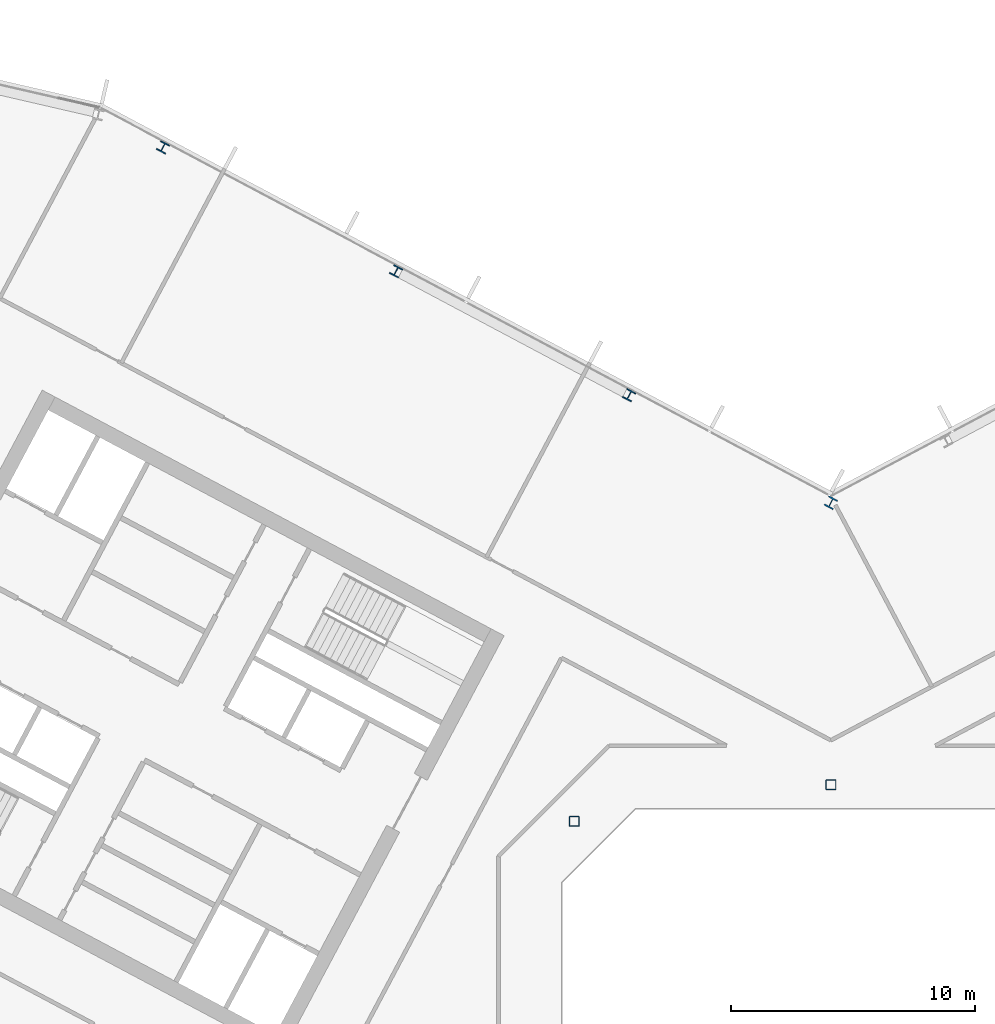
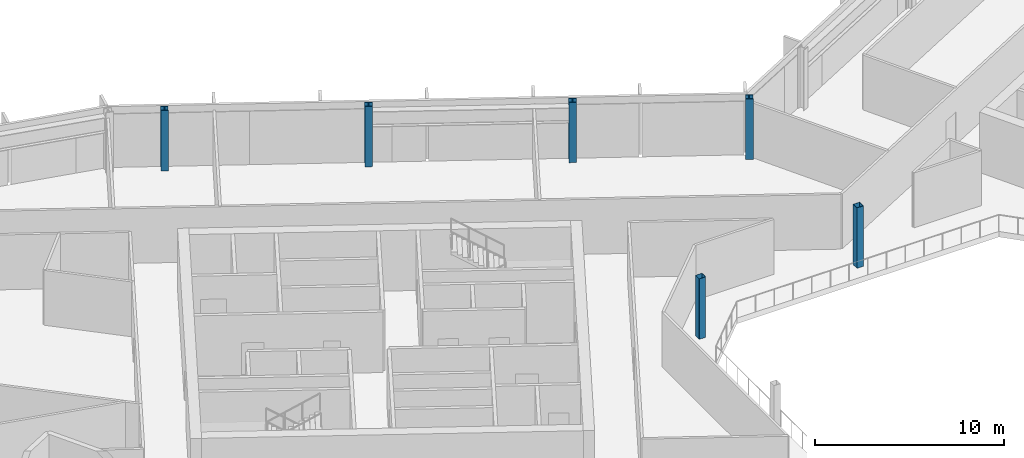
# One storey, part 4 of 26: 6 columns.
"""IFC4 building model written with IfcOpenShell, lengths in metres."""

import ifcopenshell
import ifcopenshell.guid

model = None  # the IFC model being written
_history = None  # IfcOwnerHistory: only IFC2X3 demands one
_inside = {}  # id of a spatial element -> (the spatial element, [elements in it])
_under = {}  # id of a project, library or spatial element -> (it, [spatial elements below it])
_declared = {}  # id of a project -> (the project, [libraries it declares])
_typed = {}  # id of a type object -> (the type object, [elements of that type])
_made_of = {}  # id of a material, layer set ... -> (it, [elements and type objects made of it])


def new_model(schema):
    """Start an empty IFC model of exactly this schema.

    Asked for "IFC4X3", IfcOpenShell would pick the latest addendum, in which some entities
    have other attributes; the version numbers below select the first issue.
    IFC2X3 requires an IfcOwnerHistory on every rooted entity: one is made here for all.
    """
    global model, _history
    if schema == "IFC4X3":
        model = ifcopenshell.file(schema_version=(4, 3, 0, 0))
    else:
        model = ifcopenshell.file(schema=schema)
    _inside.clear()
    _under.clear()
    _declared.clear()
    _typed.clear()
    _made_of.clear()
    _history = None
    if model.schema == "IFC2X3":
        org = make("IfcOrganization", Name="unknown")
        user = make(
            "IfcPersonAndOrganization",
            ThePerson=make("IfcPerson", FamilyName="unknown"),
            TheOrganization=org,
        )
        app = make(
            "IfcApplication",
            ApplicationDeveloper=org,
            Version="unknown",
            ApplicationFullName="unknown",
            ApplicationIdentifier="unknown",
        )
        _history = make(
            "IfcOwnerHistory",
            OwningUser=user,
            OwningApplication=app,
            ChangeAction="ADDED",
            CreationDate=0,
        )
    return model


def make(cls, **values):
    """One entity of the class cls with the attributes given. An attribute that is None is left unset."""
    return model.create_entity(
        cls, **{name: value for name, value in values.items() if value is not None}
    )


def rooted(cls, **values):
    """An entity with a GlobalId (a new one), such as an element, a storey or a relation."""
    return make(cls, GlobalId=ifcopenshell.guid.new(), OwnerHistory=_history, **values)


def si_unit(unit_type, name, prefix=None):
    """IfcSIUnit, for example si_unit("LENGTHUNIT", "METRE", prefix="MILLI")."""
    return make("IfcSIUnit", UnitType=unit_type, Prefix=prefix, Name=name)


def assignment(units):
    """IfcUnitAssignment: the units of a project."""
    return None if units is None else make("IfcUnitAssignment", Units=units)


def point(xyz):
    """IfcCartesianPoint."""
    return None if xyz is None else make("IfcCartesianPoint", Coordinates=xyz)


def direction(xyz):
    """IfcDirection."""
    return None if xyz is None else make("IfcDirection", DirectionRatios=xyz)


def frame(location, z_axis=None, x_axis=None):
    """IfcAxis2Placement3D, a coordinate frame: its origin and axes. An axis left out is left unset."""
    return make(
        "IfcAxis2Placement3D",
        Location=point(location),
        Axis=direction(z_axis),
        RefDirection=direction(x_axis),
    )


def frame_2d(location, x_axis=None):
    """IfcAxis2Placement2D, a coordinate frame in the plane: its origin and x axis."""
    return make(
        "IfcAxis2Placement2D", Location=point(location), RefDirection=direction(x_axis)
    )


def origin():
    """The frame at (0, 0, 0) with its axes left unset."""
    return frame((0.0, 0.0, 0.0))


def origin_2d():
    """The frame at (0, 0) in the plane with its x axis left unset."""
    return frame_2d((0.0, 0.0))


def place(relative_to, where):
    """IfcLocalPlacement: puts the frame where relative to a parent placement (None: the world)."""
    return make(
        "IfcLocalPlacement", PlacementRelTo=relative_to, RelativePlacement=where
    )


def context(
    kind, dimensions, precision=None, world=None, true_north=None, identifier=None
):
    """IfcGeometricRepresentationContext, for example the 3D "Model" context."""
    return make(
        "IfcGeometricRepresentationContext",
        ContextIdentifier=identifier,
        ContextType=kind,
        CoordinateSpaceDimension=dimensions,
        Precision=precision,
        WorldCoordinateSystem=world,
        TrueNorth=true_north,
    )


def subcontext(parent, identifier, kind, view, scale=None):
    """IfcGeometricRepresentationSubContext, for example "Body" below "Model"."""
    return make(
        "IfcGeometricRepresentationSubContext",
        ContextIdentifier=identifier,
        ContextType=kind,
        ParentContext=parent,
        TargetScale=scale,
        TargetView=view,
    )


def project(units=None, contexts=None):
    """IfcProject with its units and contexts."""
    return rooted(
        "IfcProject",
        Name="project",
        RepresentationContexts=contexts,
        UnitsInContext=assignment(units),
    )


def spatial(cls, under=None, at=None, **own):
    """A site, building, storey or space (cls), placed at a placement, below another one or the project."""
    s = rooted(cls, ObjectPlacement=at, **own)
    if under is not None:
        _under.setdefault(under.id(), (under, []))[1].append(s)
    return s


def profile(cls, at=None, kind="AREA", **sizes):
    """A parametric profile (cls). Its sizes go by their IFC names, for example OverallWidth=200.0."""
    return make(cls, ProfileType=kind, Position=at, **sizes)


def hollow_rectangle(**sizes):
    """IfcRectangleHollowProfileDef."""
    return profile("IfcRectangleHollowProfileDef", **sizes)


def i_section(**sizes):
    """IfcIShapeProfileDef."""
    return profile("IfcIShapeProfileDef", **sizes)


def extrude(swept, where, along, depth):
    """IfcExtrudedAreaSolid: the profile swept, set in the frame where, extruded along a direction by depth."""
    return make(
        "IfcExtrudedAreaSolid",
        SweptArea=swept,
        Position=where,
        ExtrudedDirection=direction(along),
        Depth=depth,
    )


def shape(context_of_items, identifier, shape_type, items):
    """IfcShapeRepresentation: the items that make up one representation, for example the "Body"."""
    return make(
        "IfcShapeRepresentation",
        ContextOfItems=context_of_items,
        RepresentationIdentifier=identifier,
        RepresentationType=shape_type,
        Items=items,
    )


def material(Name=None, Category=None):
    """IfcMaterial."""
    return make("IfcMaterial", Name=Name, Category=Category)


def material_profile(
    of_material, cross_section, Name=None, Category=None, Priority=None
):
    """IfcMaterialProfile: a cross section and its material."""
    return make(
        "IfcMaterialProfile",
        Name=Name,
        Material=of_material,
        Profile=cross_section,
        Priority=Priority,
        Category=Category,
    )


def profile_set(profiles, Name=None, composite=None):
    """IfcMaterialProfileSet."""
    return make(
        "IfcMaterialProfileSet",
        Name=Name,
        MaterialProfiles=profiles,
        CompositeProfile=composite,
    )


def made_of(thing, what):
    """Note that an element or type object is made of a material, layer set ...; save() writes the relation."""
    if what is not None:
        _made_of.setdefault(what.id(), (what, []))[1].append(thing)
    return thing


def type_object(cls, material=None, **own):
    """A type object (cls), such as IfcWallType, which elements share."""
    return made_of(rooted(cls, **own), material)


def element(
    cls,
    number,
    at=None,
    inside=None,
    cuts=None,
    type_object=None,
    material=None,
    context=None,
    identifier="Body",
    shape_type=None,
    held_by="IfcProductDefinitionShape",
    body=None,
    shapes=None,
    **own,
):
    """One element of the class cls, such as IfcWall. Its Tag is "e" and its number.

    at: its placement. inside: the storey or other place that contains it. cuts: it is an
    opening in that element (IfcRelVoidsElement). A single representation is given by context,
    identifier, shape_type and body (its items); several are given by shapes. held_by: the class
    of the entity that holds the representations. save() writes the other relations.
    """
    e = rooted(cls, Tag="e%d" % number, ObjectPlacement=at, **own)
    if body is not None:
        shapes = [shape(context, identifier, shape_type, body)]
    if shapes is not None:
        e.Representation = make(held_by, Representations=shapes)
    if inside is not None:
        _inside.setdefault(inside.id(), (inside, []))[1].append(e)
    if cuts is not None:
        rooted(
            "IfcRelVoidsElement", RelatingBuildingElement=cuts, RelatedOpeningElement=e
        )
    if type_object is not None:
        _typed.setdefault(type_object.id(), (type_object, []))[1].append(e)
    return made_of(e, material)


def aggregate(whole, parts):
    """IfcRelAggregates: a whole, such as a stair, and the parts it consists of."""
    return rooted("IfcRelAggregates", RelatingObject=whole, RelatedObjects=parts)


def save(model, path):
    """Write the relations noted so far, then the file.

    IfcRelAggregates (storeys below a building ...), IfcRelContainedInSpatialStructure (elements
    in a storey), IfcRelDefinesByType, IfcRelAssociatesMaterial and IfcRelDeclares: one each for
    every whole, place, type object, material and project.
    """
    for whole, parts in _under.values():
        aggregate(whole, parts)
    for where, things in _inside.values():
        rooted(
            "IfcRelContainedInSpatialStructure",
            RelatedElements=things,
            RelatingStructure=where,
        )
    for kind, things in _typed.values():
        rooted("IfcRelDefinesByType", RelatedObjects=things, RelatingType=kind)
    for what, things in _made_of.values():
        rooted("IfcRelAssociatesMaterial", RelatedObjects=things, RelatingMaterial=what)
    for by, libraries in _declared.values():
        rooted("IfcRelDeclares", RelatingContext=by, RelatedDefinitions=libraries)
    model.write(path)


model = new_model("IFC4")

# Units and contexts
model_context = context("Model", 3, precision=1e-05, world=origin(), true_north=direction((0.0, 1.0)))
body_context = subcontext(model_context, "Body", "Model", "MODEL_VIEW")
ifc_project = project(units=[si_unit("LENGTHUNIT", "METRE"), si_unit("AREAUNIT", "SQUARE_METRE"), si_unit("VOLUMEUNIT", "CUBIC_METRE"), si_unit("PLANEANGLEUNIT", "RADIAN"), si_unit("MASSUNIT", "GRAM", prefix="KILO")], contexts=[model_context])

# Site, building, storey
site_placement = place(None, origin())
site = spatial("IfcSite", under=ifc_project, at=site_placement, CompositionType="ELEMENT")
building_placement = place(site_placement, origin())
building = spatial("IfcBuilding", under=site, at=building_placement, Name="Cormorant Relay Tower", CompositionType="ELEMENT")
storey_placement = place(building_placement, frame((0.0, 0.0, 228.60009765625)))
storey = spatial("IfcBuildingStorey", under=building, at=storey_placement, Name="L50", CompositionType="ELEMENT", Elevation=228.60009765625)

# Columns
ifc_material_1 = material(Name="Steel ASTM A500 Grade C (Fy 345 MPa)", Category="steel")
ifc_material_profile_1 = material_profile(ifc_material_1, hollow_rectangle(XDim=0.406494140625, YDim=0.406494140625, WallThickness=0.0146484375, InnerFilletRadius=0.00732421875, OuterFilletRadius=0.022216796875, at=origin_2d()), Name="HSS406x406x15")
ifc_profile_set_1 = profile_set([ifc_material_profile_1], Name="Steel ASTM A500 Grade C (Fy 345 MPa)")
column_type_1 = type_object("IfcColumnType", Name="Column HSS406x406x15", PredefinedType="COLUMN", material=ifc_profile_set_1)
for number, where, z_axis, x_axis, name in (
    (1, (-10.5, 10.5, 0.0), (0.0, 0.0, 1.0), (1.0, 0.0, 0.0), "Column L50-023"),
    (2, (0.0, 12.0, 0.0), (0.0, 0.0, 1.0), (1.0, 0.0, 0.0), "Column L50-025"),
):
    element("IfcColumn", number, at=place(storey_placement, frame(where, z_axis=z_axis, x_axis=x_axis)), inside=storey, type_object=column_type_1, Name=name, PredefinedType="COLUMN", context=body_context, shape_type="SweptSolid", body=[
        extrude(hollow_rectangle(XDim=0.406494140625, YDim=0.406494140625, WallThickness=0.0146484375, InnerFilletRadius=0.00732421875, OuterFilletRadius=0.022216796875, at=origin_2d()), origin(), (0.0, 0.0, 1.0), 3.89990234375),
    ])
ifc_material_2 = material(Name="Steel ASTM A992 (Fy 345 MPa)", Category="steel")
ifc_material_profile_2 = material_profile(ifc_material_2, i_section(OverallWidth=0.40380859375, OverallDepth=0.406494140625, WebThickness=0.027099609375, FlangeThickness=0.043701171875, FilletRadius=0.01513671875, at=origin_2d()), Name="W360x347")
ifc_profile_set_2 = profile_set([ifc_material_profile_2], Name="Steel ASTM A992 (Fy 345 MPa)")
column_type_2 = type_object("IfcColumnType", Name="Column W360x347", PredefinedType="COLUMN", material=ifc_profile_set_2)
for number, where, z_axis, x_axis, name in (
    (3, (-8.251953125, 27.93408203125, 0.0), (0.0, 0.0, 1.0), (-0.882947592859, 0.469471562786, 0.0), "Column L50-033"),
    (4, (-17.7880859375, 33.00390625, 0.0), (0.0, 0.0, 1.0), (-0.882947592859, 0.469471562786, 0.0), "Column L50-037"),
    (5, (-27.322998046875, 38.073974609375, 0.0), (0.0, 0.0, 1.0), (-0.882947592859, 0.469471562786, 0.0), "Column L50-040"),
):
    element("IfcColumn", number, at=place(storey_placement, frame(where, z_axis=z_axis, x_axis=x_axis)), inside=storey, type_object=column_type_2, Name=name, PredefinedType="COLUMN", context=body_context, shape_type="SweptSolid", body=[
        extrude(i_section(OverallWidth=0.40380859375, OverallDepth=0.406494140625, WebThickness=0.027099609375, FlangeThickness=0.043701171875, FilletRadius=0.01513671875, at=origin_2d()), origin(), (0.0, 0.0, 1.0), 3.89990234375),
    ])
ifc_material_3 = material(Name="Steel ASTM A992 (Fy 345 MPa)", Category="steel")
ifc_material_profile_3 = material_profile(ifc_material_3, i_section(OverallWidth=0.41162109375, OverallDepth=0.434326171875, WebThickness=0.035888671875, FlangeThickness=0.057373046875, FilletRadius=0.01513671875, at=origin_2d()), Name="W360x463")
ifc_profile_set_3 = profile_set([ifc_material_profile_3], Name="Steel ASTM A992 (Fy 345 MPa)")
column_type_3 = type_object("IfcColumnType", Name="Column W360x463", PredefinedType="COLUMN", material=ifc_profile_set_3)
column_placement = place(storey_placement, frame((0.0, 23.533935546875, 0.0), z_axis=(0.0, 0.0, 1.0), x_axis=(-0.882947592859, 0.469471562786, 0.0)))
element("IfcColumn", 6, at=column_placement, inside=storey, type_object=column_type_3, Name="Column L50-030", PredefinedType="COLUMN", context=body_context, shape_type="SweptSolid", body=[
    extrude(i_section(OverallWidth=0.41162109375, OverallDepth=0.434326171875, WebThickness=0.035888671875, FlangeThickness=0.057373046875, FilletRadius=0.01513671875, at=origin_2d()), origin(), (0.0, 0.0, 1.0), 3.89990234375),
])

save(model, "model.ifc")
